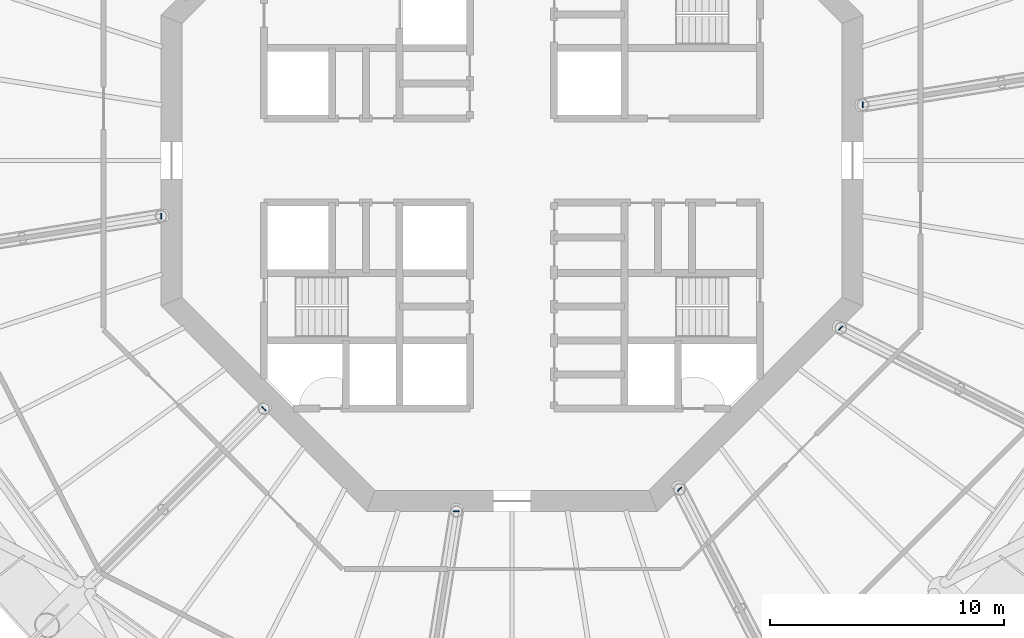
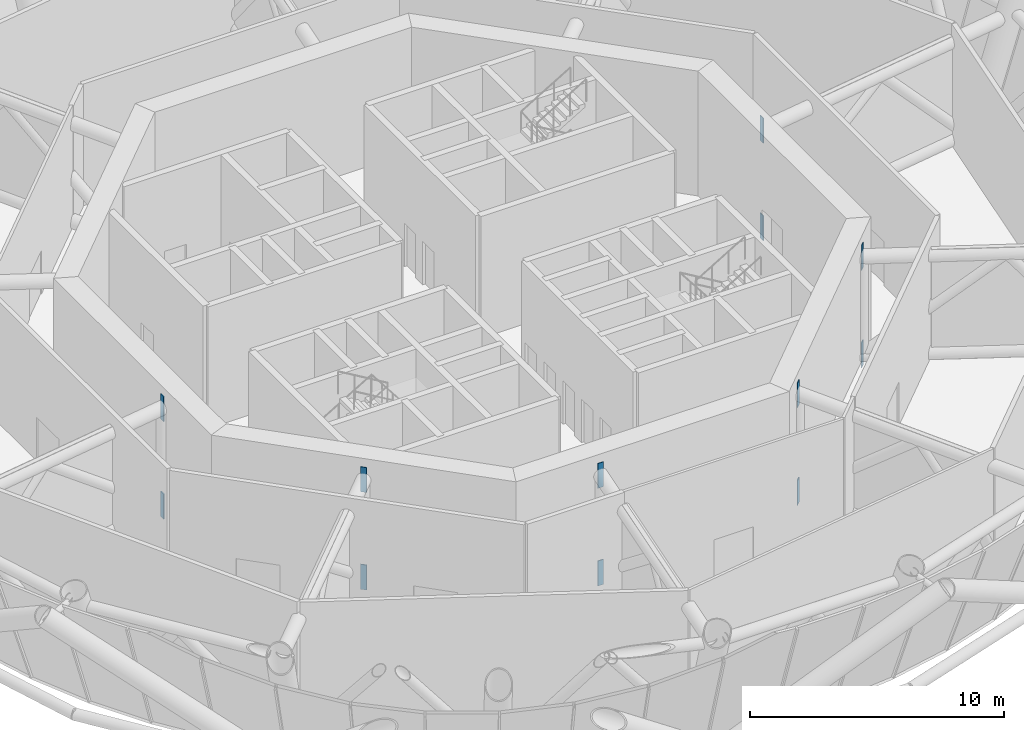
# One storey, part 11 of 15: 12 discrete accessories.
"""IFC4 building model written with IfcOpenShell, lengths in metres."""

from ifc_helpers import new_model, si_unit, direction, frame, origin, origin_2d, place, context, subcontext, project, spatial, rectangle, extrude, material, element, save


model = new_model("IFC4")

# Units and contexts
model_context = context("Model", 3, precision=1e-05, world=origin(), true_north=direction((0.0, 1.0)))
body_context = subcontext(model_context, "Body", "Model", "MODEL_VIEW")
ifc_project = project(units=[si_unit("LENGTHUNIT", "METRE"), si_unit("AREAUNIT", "SQUARE_METRE"), si_unit("VOLUMEUNIT", "CUBIC_METRE"), si_unit("PLANEANGLEUNIT", "RADIAN"), si_unit("MASSUNIT", "GRAM", prefix="KILO")], contexts=[model_context])

# Site, building, storey
site_placement = place(None, origin())
site = spatial("IfcSite", under=ifc_project, at=site_placement, CompositionType="ELEMENT")
building_placement = place(site_placement, origin())
building = spatial("IfcBuilding", under=site, at=building_placement, Name="Entoto Ring Tower", CompositionType="ELEMENT")
storey_placement = place(building_placement, frame((0.0, 0.0, 268.0)))
storey = spatial("IfcBuildingStorey", under=building, at=storey_placement, Name="L61", CompositionType="ELEMENT", Elevation=268.0)

# Discrete accessories
ifc_material = material(Name="Steel S355", Category="steel")
for number, where, z_axis, x_axis, name in (
    (1, (105.0, 82.375732421875, -0.294921875), (0.0, 0.0, 1.0), (1.0, 0.0, 0.0), "Embedded plate L61 bottom 01"),
    (2, (105.0, 82.375732421875, 4.39501953125), (0.0, 0.0, 1.0), (1.0, 0.0, 0.0), "Embedded plate L61 top 01"),
    (3, (75.0, 77.624267578125, -0.294921875), (0.0, 0.0, 1.0), (-1.0, 0.0, 0.0), "Embedded plate L61 bottom 06"),
    (4, (75.0, 77.624267578125, 4.39501953125), (0.0, 0.0, 1.0), (-1.0, 0.0, 0.0), "Embedded plate L61 top 06"),
    (5, (79.393310546875, 69.393310546875, -0.294921875), (0.0, 0.0, 1.0), (-0.707106781187, -0.707106781187, 0.0), "Embedded plate L61 bottom 07"),
    (6, (79.393310546875, 69.393310546875, 4.39501953125), (0.0, 0.0, 1.0), (-0.707106781187, -0.707106781187, 0.0), "Embedded plate L61 top 07"),
    (7, (87.624267578125, 65.0, -0.294921875), (0.0, 0.0, 1.0), (0.0, -1.0, 0.0), "Embedded plate L61 bottom 08"),
    (8, (87.624267578125, 65.0, 4.39501953125), (0.0, 0.0, 1.0), (0.0, -1.0, 0.0), "Embedded plate L61 top 08"),
    (9, (97.160400390625, 65.947021484375, -0.294921875), (0.0, 0.0, 1.0), (0.707106781187, -0.707106781187, 0.0), "Embedded plate L61 bottom 09"),
    (10, (97.160400390625, 65.947021484375, 4.39501953125), (0.0, 0.0, 1.0), (0.707106781187, -0.707106781187, 0.0), "Embedded plate L61 top 09"),
    (11, (104.052978515625, 72.839599609375, -0.294921875), (0.0, 0.0, 1.0), (0.707106781187, -0.707106781187, 0.0), "Embedded plate L61 bottom 10"),
    (12, (104.052978515625, 72.839599609375, 4.39501953125), (0.0, 0.0, 1.0), (0.707106781187, -0.707106781187, 0.0), "Embedded plate L61 top 10"),
):
    element("IfcDiscreteAccessory", number, at=place(storey_placement, frame(where, z_axis=z_axis, x_axis=x_axis)), inside=storey, material=ifc_material, Name=name, PredefinedType="ANCHORPLATE", context=body_context, shape_type="SweptSolid", body=[
        extrude(rectangle(XDim=0.0400390625, YDim=0.25, at=origin_2d()), origin(), (0.0, 0.0, 1.0), 1.199951171875),
    ])

save(model, "model.ifc")
